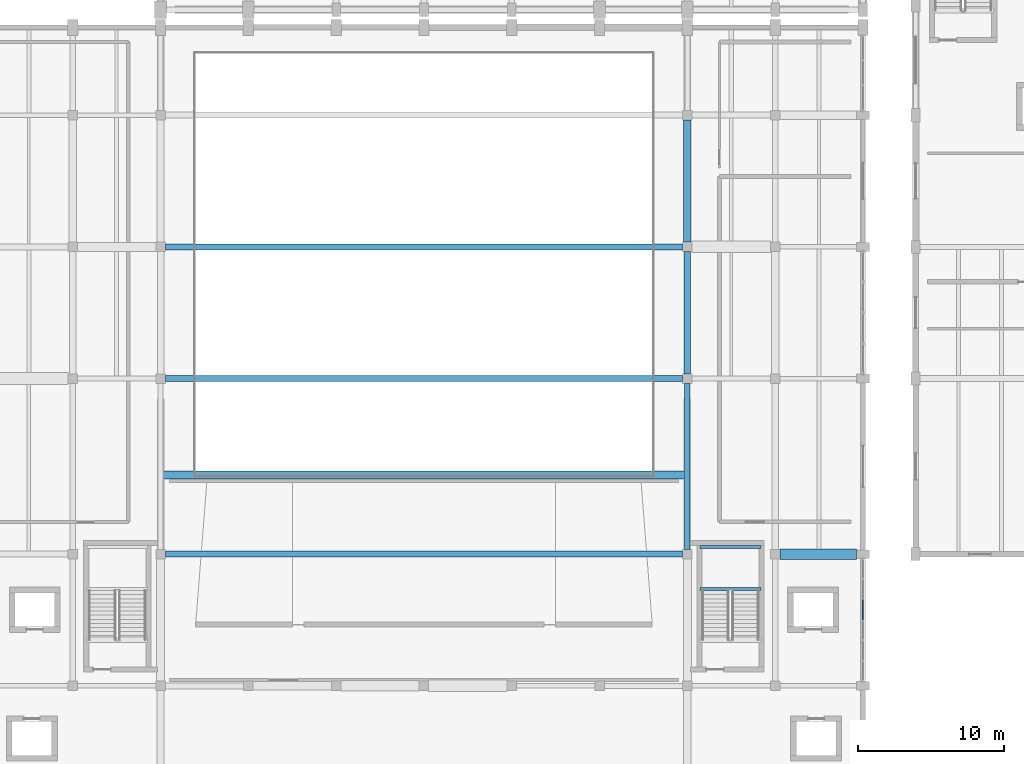
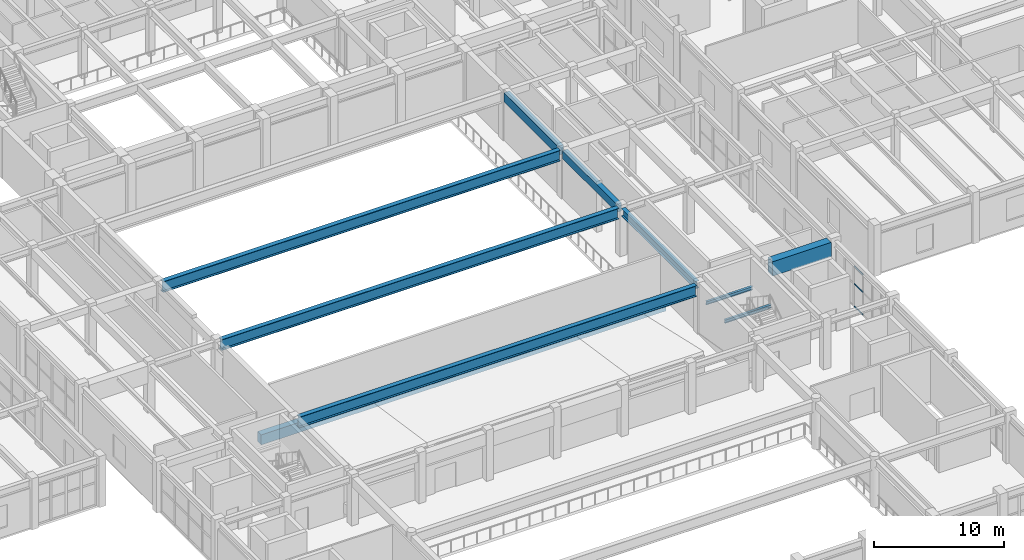
# One storey, part 27 of 80: 10 beams, 3 members, 1 element without a shape of its own.
"""IFC4 building model written with IfcOpenShell, lengths in metres."""

from ifc_helpers import new_model, si_unit, direction, frame, origin, origin_2d, place, context, subcontext, project, spatial, rectangle, hollow_rectangle, i_section, extrude, material, layer, layer_set, material_profile, profile_set, type_object, element, aggregate, save


model = new_model("IFC4")

# Units and contexts
model_context = context("Model", 3, precision=1e-05, world=origin(), true_north=direction((0.0, 1.0)))
body_context = subcontext(model_context, "Body", "Model", "MODEL_VIEW")
ifc_project = project(units=[si_unit("LENGTHUNIT", "METRE"), si_unit("AREAUNIT", "SQUARE_METRE"), si_unit("VOLUMEUNIT", "CUBIC_METRE"), si_unit("PLANEANGLEUNIT", "RADIAN"), si_unit("MASSUNIT", "GRAM", prefix="KILO")], contexts=[model_context])

# Site, building, storey
site_placement = place(None, origin())
site = spatial("IfcSite", under=ifc_project, at=site_placement, CompositionType="ELEMENT")
building_placement = place(site_placement, origin())
building = spatial("IfcBuilding", under=site, at=building_placement, Name="Vaelkrest Opera House", CompositionType="ELEMENT")
storey_placement = place(building_placement, frame((0.0, 0.0, 15.0)))
storey = spatial("IfcBuildingStorey", under=building, at=storey_placement, Name="L03", CompositionType="ELEMENT", Elevation=15.0)

# Beams
ifc_material_1 = material(Name="Concrete C50/60", Category="concrete")
ifc_material_profile_1 = material_profile(ifc_material_1, rectangle(XDim=0.449951171875, YDim=0.75, at=origin_2d()), Name="RCB450X750")
ifc_profile_set_1 = profile_set([ifc_material_profile_1], Name="Concrete C50/60")
beam_type_1 = type_object("IfcBeamType", Name="B02", PredefinedType="BEAM", material=ifc_profile_set_1)
beam_1_placement = place(storey_placement, frame((18.0, -7.47509765625, 4.1298828125), z_axis=(0.0, 1.0, 0.0), x_axis=(-1.0, 0.0, 0.0)))
element("IfcBeam", 1, at=beam_1_placement, inside=storey, type_object=beam_type_1, Name="Beam BM-V1-L03-0499", PredefinedType="BEAM", context=body_context, shape_type="SweptSolid", body=[
    extrude(rectangle(XDim=0.449951171875, YDim=0.75, at=origin_2d()), origin(), (0.0, 0.0, 1.0), 8.35009765625),
])
ifc_material_profile_2 = material_profile(ifc_material_1, rectangle(XDim=0.5, YDim=0.85009765625, at=origin_2d()), Name="RCB500X850")
ifc_profile_set_2 = profile_set([ifc_material_profile_2], Name="Concrete C50/60")
beam_type_2 = type_object("IfcBeamType", Name="B03", PredefinedType="BEAM", material=ifc_profile_set_2)
beam_2_placement = place(storey_placement, frame((18.0, 1.52490234375, 4.080078125), z_axis=(0.0, 1.0, 0.0), x_axis=(-1.0, 0.0, 0.0)))
element("IfcBeam", 2, at=beam_2_placement, inside=storey, type_object=beam_type_2, Name="Beam BM-V1-L03-0500", PredefinedType="BEAM", context=body_context, shape_type="SweptSolid", body=[
    extrude(rectangle(XDim=0.5, YDim=0.85009765625, at=origin_2d()), origin(), (0.0, 0.0, 1.0), 8.35009765625),
])
ifc_material_profile_3 = material_profile(ifc_material_1, rectangle(XDim=0.550048828125, YDim=0.949951171875, at=origin_2d()), Name="RCB550X950")
ifc_profile_set_3 = profile_set([ifc_material_profile_3], Name="Concrete C50/60")
beam_type_3 = type_object("IfcBeamType", Name="B04", PredefinedType="BEAM", material=ifc_profile_set_3)
beam_3_placement = place(storey_placement, frame((-18.0, -14.39990234375, -0.7548828125), z_axis=(1.0, 0.0, 0.0), x_axis=(0.0, 1.0, 0.0)))
element("IfcBeam", 3, at=beam_3_placement, inside=storey, type_object=beam_type_3, Name="Auditorium seating tier front girder L03", PredefinedType="BEAM", context=body_context, shape_type="SweptSolid", body=[
    extrude(rectangle(XDim=0.550048828125, YDim=0.949951171875, at=origin_2d()), origin(), (0.0, 0.0, 1.0), 36.0),
])
ifc_material_profile_4 = material_profile(ifc_material_1, rectangle(XDim=0.699951171875, YDim=1.35009765625, at=origin_2d()), Name="RCB700X1350")
ifc_profile_set_4 = profile_set([ifc_material_profile_4], Name="Concrete C50/60")
beam_type_4 = type_object("IfcBeamType", Name="B06", PredefinedType="BEAM", material=ifc_profile_set_4)
beam_4_placement = place(storey_placement, frame((24.324951171875, -19.800048828125, 3.830078125), z_axis=(1.0, 0.0, 0.0), x_axis=(0.0, 1.0, 0.0)))
element("IfcBeam", 4, at=beam_4_placement, inside=storey, type_object=beam_type_4, Name="Beam BM-V1-L03-0447", PredefinedType="BEAM", context=body_context, shape_type="SweptSolid", body=[
    extrude(rectangle(XDim=0.699951171875, YDim=1.35009765625, at=origin_2d()), origin(), (0.0, 0.0, 1.0), 5.22509765625),
])
ifc_material_2 = material(Name="Steel A992 Gr50", Category="steel")
ifc_material_profile_5 = material_profile(ifc_material_2, i_section(OverallWidth=0.35791015625, OverallDepth=0.7060546875, WebThickness=0.018310546875, FlangeThickness=0.0302734375, at=origin_2d()), Name="W27X178")
ifc_profile_set_5 = profile_set([ifc_material_profile_5], Name="Steel A992 Gr50")
beam_type_5 = type_object("IfcBeamType", Name="B14", PredefinedType="BEAM", material=ifc_profile_set_5)
beam_5_placement = place(storey_placement, frame((18.0, -19.47509765625, 4.152099609375), z_axis=(0.0, 1.0, 0.0), x_axis=(-1.0, 0.0, 0.0)))
element("IfcBeam", 5, at=beam_5_placement, inside=storey, type_object=beam_type_5, Name="Beam BM-V1-L03-0498", PredefinedType="BEAM", context=body_context, shape_type="SweptSolid", body=[
    extrude(i_section(OverallWidth=0.35791015625, OverallDepth=0.7060546875, WebThickness=0.018310546875, FlangeThickness=0.0302734375, at=origin_2d()), origin(), (0.0, 0.0, 1.0), 11.35009765625),
])
ifc_material_profile_6 = material_profile(ifc_material_2, i_section(OverallWidth=0.39990234375, OverallDepth=1.02197265625, WebThickness=0.01904296875, FlangeThickness=0.0361328125, at=origin_2d()), Name="W40X249")
ifc_profile_set_6 = profile_set([ifc_material_profile_6], Name="Steel A992 Gr50")
beam_type_6 = type_object("IfcBeamType", Name="B15", PredefinedType="BEAM", material=ifc_profile_set_6)
for number, where, z_axis, x_axis, name in (
    (6, (-17.675048828125, -19.800048828125, 3.993896484375), (1.0, 0.0, 0.0), (0.0, 1.0, 0.0), "Beam BM-V1-L03-0446"),
    (7, (-17.675048828125, -7.800048828125, 3.993896484375), (1.0, 0.0, 0.0), (0.0, 1.0, 0.0), "Beam BM-V1-L03-0450"),
    (8, (-17.675048828125, 1.199951171875, 3.993896484375), (1.0, 0.0, 0.0), (0.0, 1.0, 0.0), "Beam BM-V1-L03-0455"),
):
    element("IfcBeam", number, at=place(storey_placement, frame(where, z_axis=z_axis, x_axis=x_axis)), inside=storey, type_object=beam_type_6, Name=name, PredefinedType="BEAM", context=body_context, shape_type="SweptSolid", body=[
        extrude(i_section(OverallWidth=0.39990234375, OverallDepth=1.02197265625, WebThickness=0.01904296875, FlangeThickness=0.0361328125, at=origin_2d()), origin(), (0.0, 0.0, 1.0), 35.35009765625),
    ])

# Curtain wall, members
ifc_material_3 = material(Name="Dark bronze anodized aluminium", Category="aluminium")
ifc_layer = layer(ifc_material_3, 0.179931640625)
ifc_layer_set = layer_set([ifc_layer], Name="Dark bronze anodized aluminium")
curtain_wall_type = type_object("IfcCurtainWallType", Name="CW01", PredefinedType="NOTDEFINED", material=ifc_layer_set)
curtain_wall_placement = place(storey_placement, origin())
curtain_wall = element("IfcCurtainWall", 9, at=curtain_wall_placement, inside=storey, type_object=curtain_wall_type, Name="Curtain wall CW-L03-053", PredefinedType="NOTDEFINED")
ifc_material_profile_7 = material_profile(ifc_material_3, hollow_rectangle(XDim=0.06494140625, YDim=0.139892578125, WallThickness=0.00390625, at=origin_2d()), Name="CWT65X140")
ifc_profile_set_7 = profile_set([ifc_material_profile_7], Name="Dark bronze anodized aluminium")
member_type = type_object("IfcMemberType", Name="CWT01", PredefinedType="USERDEFINED", material=ifc_profile_set_7)
member_1_placement = place(storey_placement, frame((30.0, -22.931884765625, 0.032470703125), z_axis=(0.0, -1.0, 0.0), x_axis=(1.0, 0.0, 0.0)))
member_1 = element("IfcMember", 10, at=member_1_placement, type_object=member_type, Name="CW01 transom 3.1", ObjectType="TRANSOM", PredefinedType="USERDEFINED", context=body_context, shape_type="SweptSolid", body=[
    extrude(hollow_rectangle(XDim=0.06494140625, YDim=0.139892578125, WallThickness=0.00390625, at=origin_2d()), origin(), (0.0, 0.0, 1.0), 1.335693359375),
])
member_2_placement = place(storey_placement, frame((30.0, -22.931884765625, 2.14990234375), z_axis=(0.0, -1.0, 0.0), x_axis=(1.0, 0.0, 0.0)))
member_2 = element("IfcMember", 11, at=member_2_placement, type_object=member_type, Name="CW01 transom 3.2", ObjectType="TRANSOM", PredefinedType="USERDEFINED", context=body_context, shape_type="SweptSolid", body=[
    extrude(hollow_rectangle(XDim=0.06494140625, YDim=0.139892578125, WallThickness=0.00390625, at=origin_2d()), origin(), (0.0, 0.0, 1.0), 1.335693359375),
])
member_3_placement = place(storey_placement, frame((30.0, -22.931884765625, 3.79638671875), z_axis=(0.0, -1.0, 0.0), x_axis=(1.0, 0.0, 0.0)))
member_3 = element("IfcMember", 12, at=member_3_placement, type_object=member_type, Name="CW01 transom 3.3", ObjectType="TRANSOM", PredefinedType="USERDEFINED", context=body_context, shape_type="SweptSolid", body=[
    extrude(hollow_rectangle(XDim=0.06494140625, YDim=0.139892578125, WallThickness=0.00390625, at=origin_2d()), origin(), (0.0, 0.0, 1.0), 1.335693359375),
])
aggregate(curtain_wall, [member_1, member_2, member_3])

# Beams
ifc_material_profile_8 = material_profile(ifc_material_2, i_section(OverallWidth=0.202880859375, OverallDepth=0.302978515625, WebThickness=0.007568359375, FlangeThickness=0.01318359375, at=origin_2d()), Name="W12X40")
ifc_profile_set_8 = profile_set([ifc_material_profile_8], Name="Steel A992 Gr50")
beam_type_7 = type_object("IfcBeamType", Name="J02", PredefinedType="JOIST", material=ifc_profile_set_8)
for number, where, z_axis, x_axis, name in (
    (13, (18.8798828125, -22.169921875, 2.048583984375), (1.0, 0.0, 0.0), (0.0, 1.0, 0.0), "Stair landing bearer beam ST02 L03-1N"),
    (14, (18.8798828125, -19.320068359375, 2.048583984375), (1.0, 0.0, 0.0), (0.0, 1.0, 0.0), "Stair landing bearer beam ST02 L03-1F"),
):
    element("IfcBeam", number, at=place(storey_placement, frame(where, z_axis=z_axis, x_axis=x_axis)), inside=storey, type_object=beam_type_7, Name=name, PredefinedType="JOIST", context=body_context, shape_type="SweptSolid", body=[
        extrude(i_section(OverallWidth=0.202880859375, OverallDepth=0.302978515625, WebThickness=0.007568359375, FlangeThickness=0.01318359375, at=origin_2d()), origin(), (0.0, 0.0, 1.0), 4.14013671875),
    ])

save(model, "model.ifc")
